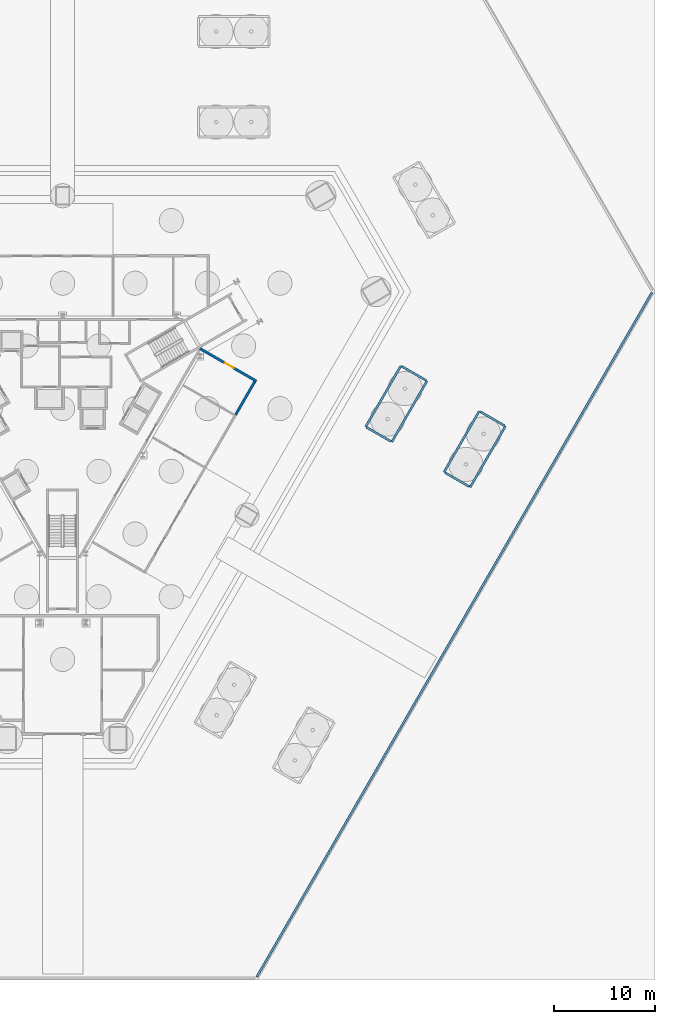
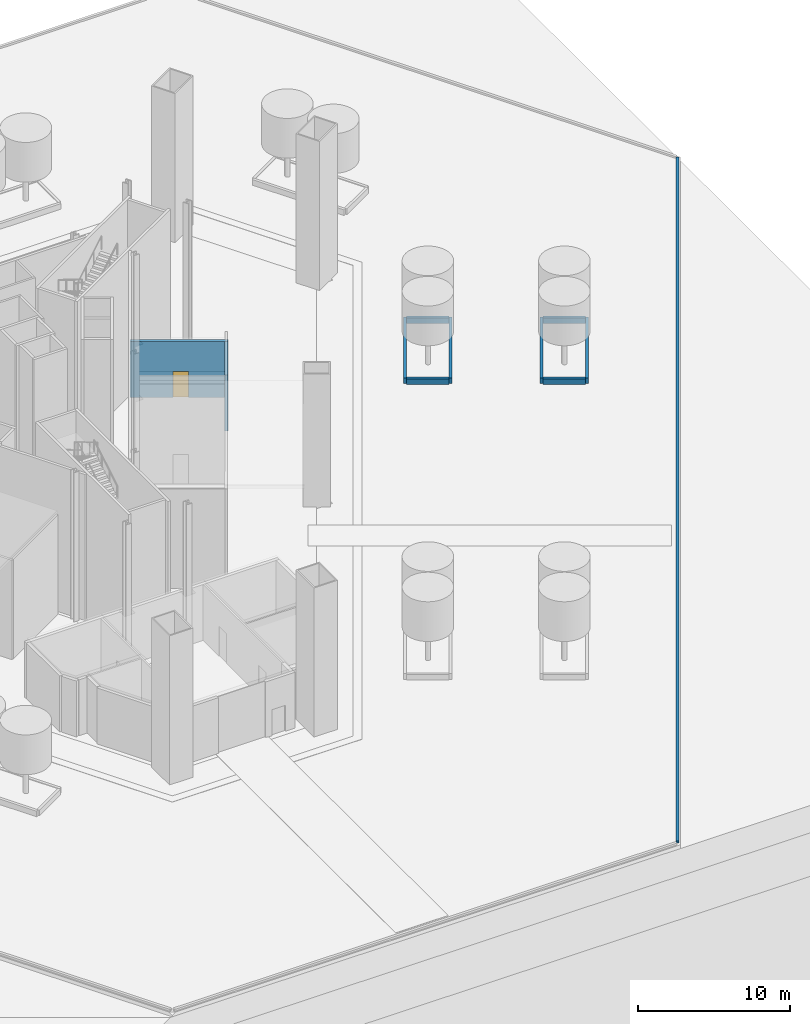
# One storey, part 8 of 22: 11 walls, 1 door, 1 opening.
"""IFC4 building model written with IfcOpenShell, lengths in metres."""

import ifcopenshell
import ifcopenshell.guid

model = None  # the IFC model being written
_history = None  # IfcOwnerHistory: only IFC2X3 demands one
_inside = {}  # id of a spatial element -> (the spatial element, [elements in it])
_under = {}  # id of a project, library or spatial element -> (it, [spatial elements below it])
_declared = {}  # id of a project -> (the project, [libraries it declares])
_typed = {}  # id of a type object -> (the type object, [elements of that type])
_made_of = {}  # id of a material, layer set ... -> (it, [elements and type objects made of it])


def new_model(schema):
    """Start an empty IFC model of exactly this schema.

    Asked for "IFC4X3", IfcOpenShell would pick the latest addendum, in which some entities
    have other attributes; the version numbers below select the first issue.
    IFC2X3 requires an IfcOwnerHistory on every rooted entity: one is made here for all.
    """
    global model, _history
    if schema == "IFC4X3":
        model = ifcopenshell.file(schema_version=(4, 3, 0, 0))
    else:
        model = ifcopenshell.file(schema=schema)
    _inside.clear()
    _under.clear()
    _declared.clear()
    _typed.clear()
    _made_of.clear()
    _history = None
    if model.schema == "IFC2X3":
        org = make("IfcOrganization", Name="unknown")
        user = make(
            "IfcPersonAndOrganization",
            ThePerson=make("IfcPerson", FamilyName="unknown"),
            TheOrganization=org,
        )
        app = make(
            "IfcApplication",
            ApplicationDeveloper=org,
            Version="unknown",
            ApplicationFullName="unknown",
            ApplicationIdentifier="unknown",
        )
        _history = make(
            "IfcOwnerHistory",
            OwningUser=user,
            OwningApplication=app,
            ChangeAction="ADDED",
            CreationDate=0,
        )
    return model


def make(cls, **values):
    """One entity of the class cls with the attributes given. An attribute that is None is left unset."""
    return model.create_entity(
        cls, **{name: value for name, value in values.items() if value is not None}
    )


def rooted(cls, **values):
    """An entity with a GlobalId (a new one), such as an element, a storey or a relation."""
    return make(cls, GlobalId=ifcopenshell.guid.new(), OwnerHistory=_history, **values)


def si_unit(unit_type, name, prefix=None):
    """IfcSIUnit, for example si_unit("LENGTHUNIT", "METRE", prefix="MILLI")."""
    return make("IfcSIUnit", UnitType=unit_type, Prefix=prefix, Name=name)


def assignment(units):
    """IfcUnitAssignment: the units of a project."""
    return None if units is None else make("IfcUnitAssignment", Units=units)


def point(xyz):
    """IfcCartesianPoint."""
    return None if xyz is None else make("IfcCartesianPoint", Coordinates=xyz)


def direction(xyz):
    """IfcDirection."""
    return None if xyz is None else make("IfcDirection", DirectionRatios=xyz)


def frame(location, z_axis=None, x_axis=None):
    """IfcAxis2Placement3D, a coordinate frame: its origin and axes. An axis left out is left unset."""
    return make(
        "IfcAxis2Placement3D",
        Location=point(location),
        Axis=direction(z_axis),
        RefDirection=direction(x_axis),
    )


def frame_2d(location, x_axis=None):
    """IfcAxis2Placement2D, a coordinate frame in the plane: its origin and x axis."""
    return make(
        "IfcAxis2Placement2D", Location=point(location), RefDirection=direction(x_axis)
    )


def origin():
    """The frame at (0, 0, 0) with its axes left unset."""
    return frame((0.0, 0.0, 0.0))


def place(relative_to, where):
    """IfcLocalPlacement: puts the frame where relative to a parent placement (None: the world)."""
    return make(
        "IfcLocalPlacement", PlacementRelTo=relative_to, RelativePlacement=where
    )


def context(
    kind, dimensions, precision=None, world=None, true_north=None, identifier=None
):
    """IfcGeometricRepresentationContext, for example the 3D "Model" context."""
    return make(
        "IfcGeometricRepresentationContext",
        ContextIdentifier=identifier,
        ContextType=kind,
        CoordinateSpaceDimension=dimensions,
        Precision=precision,
        WorldCoordinateSystem=world,
        TrueNorth=true_north,
    )


def subcontext(parent, identifier, kind, view, scale=None):
    """IfcGeometricRepresentationSubContext, for example "Body" below "Model"."""
    return make(
        "IfcGeometricRepresentationSubContext",
        ContextIdentifier=identifier,
        ContextType=kind,
        ParentContext=parent,
        TargetScale=scale,
        TargetView=view,
    )


def project(units=None, contexts=None):
    """IfcProject with its units and contexts."""
    return rooted(
        "IfcProject",
        Name="project",
        RepresentationContexts=contexts,
        UnitsInContext=assignment(units),
    )


def spatial(cls, under=None, at=None, **own):
    """A site, building, storey or space (cls), placed at a placement, below another one or the project."""
    s = rooted(cls, ObjectPlacement=at, **own)
    if under is not None:
        _under.setdefault(under.id(), (under, []))[1].append(s)
    return s


def profile(cls, at=None, kind="AREA", **sizes):
    """A parametric profile (cls). Its sizes go by their IFC names, for example OverallWidth=200.0."""
    return make(cls, ProfileType=kind, Position=at, **sizes)


def rectangle(**sizes):
    """IfcRectangleProfileDef."""
    return profile("IfcRectangleProfileDef", **sizes)


def extrude(swept, where, along, depth):
    """IfcExtrudedAreaSolid: the profile swept, set in the frame where, extruded along a direction by depth."""
    return make(
        "IfcExtrudedAreaSolid",
        SweptArea=swept,
        Position=where,
        ExtrudedDirection=direction(along),
        Depth=depth,
    )


def shape(context_of_items, identifier, shape_type, items):
    """IfcShapeRepresentation: the items that make up one representation, for example the "Body"."""
    return make(
        "IfcShapeRepresentation",
        ContextOfItems=context_of_items,
        RepresentationIdentifier=identifier,
        RepresentationType=shape_type,
        Items=items,
    )


def material(Name=None, Category=None):
    """IfcMaterial."""
    return make("IfcMaterial", Name=Name, Category=Category)


def layer(
    of_material, thickness, ventilated=None, Name=None, Category=None, Priority=None
):
    """IfcMaterialLayer: one layer of a wall or slab, of a material (None: an air gap)."""
    return make(
        "IfcMaterialLayer",
        Material=of_material,
        LayerThickness=thickness,
        IsVentilated=ventilated,
        Name=Name,
        Category=Category,
        Priority=Priority,
    )


def layer_set(layers, Name=None):
    """IfcMaterialLayerSet."""
    return make("IfcMaterialLayerSet", MaterialLayers=layers, LayerSetName=Name)


def made_of(thing, what):
    """Note that an element or type object is made of a material, layer set ...; save() writes the relation."""
    if what is not None:
        _made_of.setdefault(what.id(), (what, []))[1].append(thing)
    return thing


def type_object(cls, material=None, **own):
    """A type object (cls), such as IfcWallType, which elements share."""
    return made_of(rooted(cls, **own), material)


def element(
    cls,
    number,
    at=None,
    inside=None,
    cuts=None,
    type_object=None,
    material=None,
    context=None,
    identifier="Body",
    shape_type=None,
    held_by="IfcProductDefinitionShape",
    body=None,
    shapes=None,
    **own,
):
    """One element of the class cls, such as IfcWall. Its Tag is "e" and its number.

    at: its placement. inside: the storey or other place that contains it. cuts: it is an
    opening in that element (IfcRelVoidsElement). A single representation is given by context,
    identifier, shape_type and body (its items); several are given by shapes. held_by: the class
    of the entity that holds the representations. save() writes the other relations.
    """
    e = rooted(cls, Tag="e%d" % number, ObjectPlacement=at, **own)
    if body is not None:
        shapes = [shape(context, identifier, shape_type, body)]
    if shapes is not None:
        e.Representation = make(held_by, Representations=shapes)
    if inside is not None:
        _inside.setdefault(inside.id(), (inside, []))[1].append(e)
    if cuts is not None:
        rooted(
            "IfcRelVoidsElement", RelatingBuildingElement=cuts, RelatedOpeningElement=e
        )
    if type_object is not None:
        _typed.setdefault(type_object.id(), (type_object, []))[1].append(e)
    return made_of(e, material)


def fill(opening, filler):
    """IfcRelFillsElement: the door or window that sits in an opening."""
    return rooted(
        "IfcRelFillsElement",
        RelatingOpeningElement=opening,
        RelatedBuildingElement=filler,
    )


def aggregate(whole, parts):
    """IfcRelAggregates: a whole, such as a stair, and the parts it consists of."""
    return rooted("IfcRelAggregates", RelatingObject=whole, RelatedObjects=parts)


def save(model, path):
    """Write the relations noted so far, then the file.

    IfcRelAggregates (storeys below a building ...), IfcRelContainedInSpatialStructure (elements
    in a storey), IfcRelDefinesByType, IfcRelAssociatesMaterial and IfcRelDeclares: one each for
    every whole, place, type object, material and project.
    """
    for whole, parts in _under.values():
        aggregate(whole, parts)
    for where, things in _inside.values():
        rooted(
            "IfcRelContainedInSpatialStructure",
            RelatedElements=things,
            RelatingStructure=where,
        )
    for kind, things in _typed.values():
        rooted("IfcRelDefinesByType", RelatedObjects=things, RelatingType=kind)
    for what, things in _made_of.values():
        rooted("IfcRelAssociatesMaterial", RelatedObjects=things, RelatingMaterial=what)
    for by, libraries in _declared.values():
        rooted("IfcRelDeclares", RelatingContext=by, RelatedDefinitions=libraries)
    model.write(path)


model = new_model("IFC4")

# Units and contexts
model_context = context("Model", 3, precision=1e-05, world=origin(), true_north=direction((0.0, 1.0)))
body_context = subcontext(model_context, "Body", "Model", "MODEL_VIEW")
ifc_project = project(units=[si_unit("LENGTHUNIT", "METRE"), si_unit("AREAUNIT", "SQUARE_METRE"), si_unit("VOLUMEUNIT", "CUBIC_METRE"), si_unit("PLANEANGLEUNIT", "RADIAN"), si_unit("MASSUNIT", "GRAM", prefix="KILO")], contexts=[model_context])

# Site, building, storey
site_placement = place(None, origin())
site = spatial("IfcSite", under=ifc_project, at=site_placement, CompositionType="ELEMENT")
building_placement = place(site_placement, origin())
building = spatial("IfcBuilding", under=site, at=building_placement, Name="Verrane Prism Tower", CompositionType="ELEMENT")
storey_placement = place(building_placement, origin())
storey = spatial("IfcBuildingStorey", under=building, at=storey_placement, Name="L00", CompositionType="ELEMENT", Elevation=0.0)

# Wall, opening, door
ifc_material_1 = material(Name="Concrete C30/37", Category="concrete")
ifc_layer_1 = layer(ifc_material_1, 0.25)
ifc_layer_set_1 = layer_set([ifc_layer_1], Name="EW-250 service enclosure wall")
wall_type_1 = type_object("IfcWallType", Name="EW-250 service enclosure wall", PredefinedType="SOLIDWALL", material=ifc_layer_set_1)
wall_1_placement = place(storey_placement, frame((19.272216796875, 2.7294921875, 0.0), z_axis=(0.0, 0.0, 1.0), x_axis=(-0.866056929317, 0.499945392201, 0.0)))
wall_1 = element("IfcWall", 1, at=wall_1_placement, inside=storey, type_object=wall_type_1, Name="Service room wall 041", PredefinedType="SOLIDWALL", context=body_context, shape_type="SweptSolid", body=[
    extrude(rectangle(XDim=6.477783203125, YDim=0.25, at=frame_2d((3.23876953125, 0.0))), origin(), (0.0, 0.0, 1.0), 4.5),
])
opening_placement = place(wall_1_placement, frame((2.625732421875, 0.0, 0.0)))
opening = element("IfcOpeningElement", 2, at=opening_placement, cuts=wall_1, Name="Opening D00014", PredefinedType="OPENING", context=body_context, shape_type="SweptSolid", body=[
    extrude(rectangle(XDim=1.0, YDim=2.10009765625, at=frame_2d((0.5, 1.050048828125))), frame((0.0, 0.135009765625, 0.0), z_axis=(0.0, -1.0, 0.0), x_axis=(1.0, 0.0, 0.0)), (0.0, 0.0, 1.0), 0.27001953125),
])
ifc_material_2 = material(Name="Aluminium and glass door leaf", Category="aluminium")
door_type = type_object("IfcDoorType", Name="DR-1000x2100 single leaf exit", OperationType="NOTDEFINED", PredefinedType="DOOR", material=ifc_material_2)
door_placement = place(opening_placement, frame((1.0, 0.0, 0.0), z_axis=(0.0, 0.0, 1.0), x_axis=(-1.0, 0.0, 0.0)))
door = element("IfcDoor", 3, at=door_placement, inside=storey, type_object=door_type, Name="Exit door Luggage Store", OperationType="SINGLE_SWING_LEFT", OverallHeight=2.10009765625, OverallWidth=1.0, PredefinedType="DOOR", context=body_context, shape_type="SweptSolid", body=[
    extrude(rectangle(XDim=1.0, YDim=2.10009765625, at=frame_2d((0.5, 1.050048828125))), frame((0.0, 0.02490234375, 0.0), z_axis=(0.0, -1.0, 0.0), x_axis=(1.0, 0.0, 0.0)), (0.0, 0.0, 1.0), 0.050048828125),
])
fill(opening, door)

# Walls
wall_2_placement = place(storey_placement, frame((17.1953125, -0.617919921875, 0.0), z_axis=(0.0, 0.0, 1.0), x_axis=(0.49999591573, 0.866027761826, 0.0)))
element("IfcWall", 4, at=wall_2_placement, inside=storey, type_object=wall_type_1, Name="Service room wall 043", PredefinedType="SOLIDWALL", context=body_context, shape_type="SweptSolid", body=[
    extrude(rectangle(XDim=3.8125, YDim=0.25, at=frame_2d((1.90625, 0.0))), origin(), (0.0, 0.0, 1.0), 4.5),
])
ifc_material_3 = material(Name="Granite kerb on concrete C25/30", Category="masonry")
ifc_layer_2 = layer(ifc_material_3, 0.199951171875)
ifc_layer_set_2 = layer_set([ifc_layer_2], Name="KB-200 granite kerb")
wall_type_2 = type_object("IfcWallType", Name="KB-200 granite kerb", PredefinedType="SOLIDWALL", material=ifc_layer_set_2)
wall_3_placement = place(storey_placement, frame((19.291015625, -56.527099609375, 0.0), z_axis=(0.0, 0.0, 1.0), x_axis=(0.499999064592, 0.866025943842, 0.0)))
element("IfcWall", 5, at=wall_3_placement, inside=storey, type_object=wall_type_2, Name="Plaza kerb 5", PredefinedType="SOLIDWALL", context=body_context, shape_type="SweptSolid", body=[
    extrude(rectangle(XDim=78.616943359375, YDim=0.199951171875, at=frame_2d((39.30859375, 0.0))), origin(), (0.0, 0.0, 1.0), 0.14990234375),
])
for number, where, z_axis, x_axis, name in (
    (6, (30.1328125, -1.80859375, 0.0), (0.0, 0.0, 1.0), (0.500010275428, 0.866019471182, 0.0), "Bed kerb 10.1"),
    (7, (36.230712890625, 2.75341796875, 0.0), (0.0, 0.0, 1.0), (-0.500010275428, -0.866019471182, 0.0), "Bed kerb 10.2"),
):
    element("IfcWall", number, at=place(storey_placement, frame(where, z_axis=z_axis, x_axis=x_axis)), inside=storey, type_object=wall_type_2, Name=name, PredefinedType="SOLIDWALL", context=body_context, shape_type="SweptSolid", body=[
        extrude(rectangle(XDim=6.999755859375, YDim=0.199951171875, at=frame_2d((3.5, 0.0))), origin(), (0.0, 0.0, 1.0), 0.449951171875),
    ])
for number, where, z_axis, x_axis, name in (
    (8, (33.71923828125, 4.20361328125, 0.0), (0.0, 0.0, 1.0), (0.866018616679, -0.500011755427, 0.0), "Bed kerb 10.3"),
    (9, (32.644287109375, -3.2587890625, 0.0), (0.0, 0.0, 1.0), (-0.866018616679, 0.500011755427, 0.0), "Bed kerb 10.4"),
):
    element("IfcWall", number, at=place(storey_placement, frame(where, z_axis=z_axis, x_axis=x_axis)), inside=storey, type_object=wall_type_2, Name=name, PredefinedType="SOLIDWALL", context=body_context, shape_type="SweptSolid", body=[
        extrude(rectangle(XDim=2.80029296875, YDim=0.199951171875, at=frame_2d((1.400146484375, 0.0))), origin(), (0.0, 0.0, 1.0), 0.449951171875),
    ])
for number, where, z_axis, x_axis, name in (
    (10, (37.927001953125, -6.30859375, 0.0), (0.0, 0.0, 1.0), (0.500010275428, 0.866019471182, 0.0), "Bed kerb 12.1"),
    (11, (44.02490234375, -1.74658203125, 0.0), (0.0, 0.0, 1.0), (-0.500010275428, -0.866019471182, 0.0), "Bed kerb 12.2"),
):
    element("IfcWall", number, at=place(storey_placement, frame(where, z_axis=z_axis, x_axis=x_axis)), inside=storey, type_object=wall_type_2, Name=name, PredefinedType="SOLIDWALL", context=body_context, shape_type="SweptSolid", body=[
        extrude(rectangle(XDim=6.999755859375, YDim=0.199951171875, at=frame_2d((3.5, 0.0))), origin(), (0.0, 0.0, 1.0), 0.449951171875),
    ])
for number, where, z_axis, x_axis, name in (
    (12, (41.513427734375, -0.29638671875, 0.0), (0.0, 0.0, 1.0), (0.866018616679, -0.500011755427, 0.0), "Bed kerb 12.3"),
    (13, (40.4384765625, -7.7587890625, 0.0), (0.0, 0.0, 1.0), (-0.866018616679, 0.500011755427, 0.0), "Bed kerb 12.4"),
):
    element("IfcWall", number, at=place(storey_placement, frame(where, z_axis=z_axis, x_axis=x_axis)), inside=storey, type_object=wall_type_2, Name=name, PredefinedType="SOLIDWALL", context=body_context, shape_type="SweptSolid", body=[
        extrude(rectangle(XDim=2.80029296875, YDim=0.199951171875, at=frame_2d((1.400146484375, 0.0))), origin(), (0.0, 0.0, 1.0), 0.449951171875),
    ])

save(model, "model.ifc")
